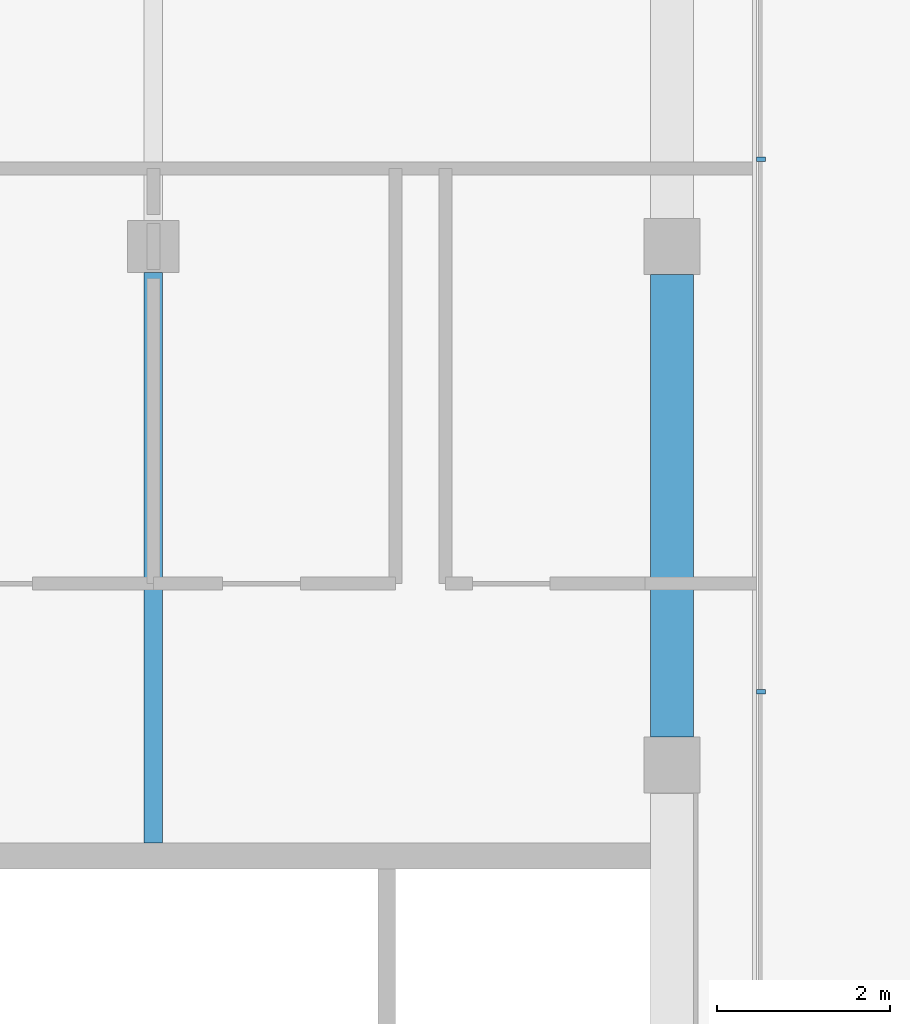
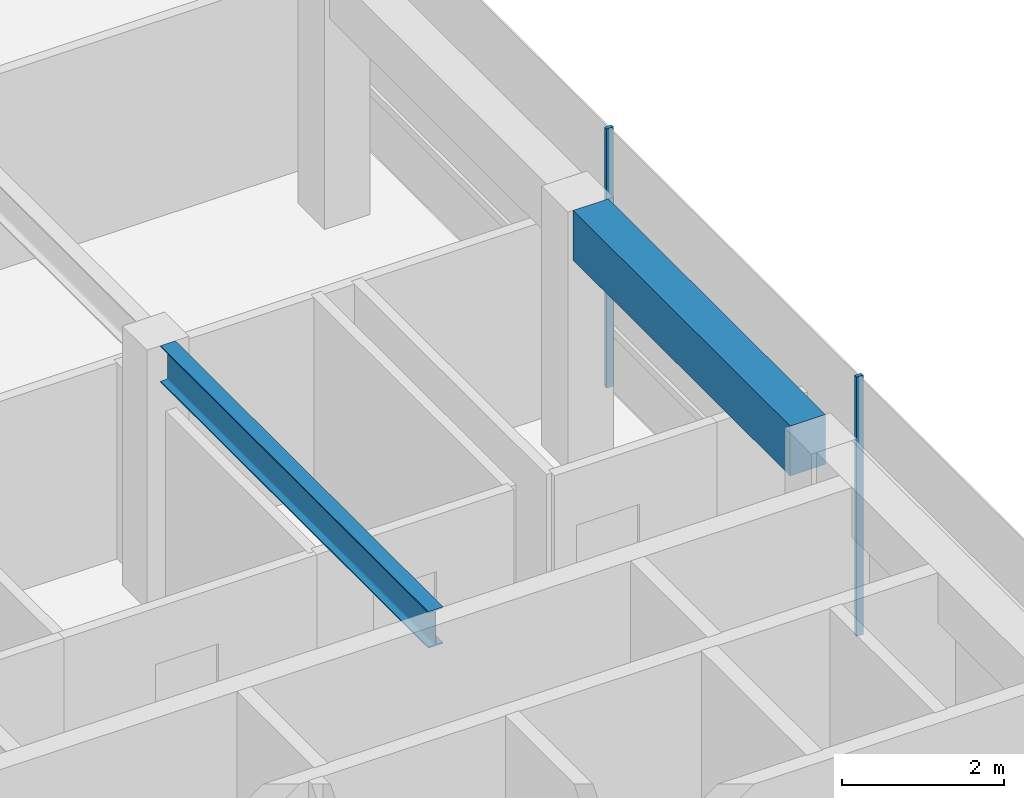
# One storey, part 10 of 20: 2 beams, 2 members, 1 element without a shape of its own.
"""IFC4 building model written with IfcOpenShell, lengths in metres."""

from ifc_helpers import new_model, si_unit, direction, frame, origin, origin_2d, place, context, subcontext, project, spatial, rectangle, i_section, extrude, material, layer, layer_set, material_profile, profile_set, type_object, element, aggregate, save


model = new_model("IFC4")

# Units and contexts
model_context = context("Model", 3, precision=1e-05, world=origin(), true_north=direction((0.0, 1.0)))
body_context = subcontext(model_context, "Body", "Model", "MODEL_VIEW")
ifc_project = project(units=[si_unit("LENGTHUNIT", "METRE"), si_unit("AREAUNIT", "SQUARE_METRE"), si_unit("VOLUMEUNIT", "CUBIC_METRE"), si_unit("PLANEANGLEUNIT", "RADIAN"), si_unit("MASSUNIT", "GRAM", prefix="KILO")], contexts=[model_context])

# Site, building, storey
site_placement = place(None, origin())
site = spatial("IfcSite", under=ifc_project, at=site_placement, CompositionType="ELEMENT")
building_placement = place(site_placement, origin())
building = spatial("IfcBuilding", under=site, at=building_placement, Name="Welwitschia Terrace Campus", CompositionType="ELEMENT")
storey_placement = place(building_placement, frame((0.0, 0.0, 327.199951171875)))
storey = spatial("IfcBuildingStorey", under=building, at=storey_placement, Name="L73", CompositionType="ELEMENT", Elevation=327.199951171875)

# Beam
ifc_material_1 = material(Name="Steel S355", Category="steel")
ifc_material_profile_1 = material_profile(ifc_material_1, i_section(OverallWidth=0.2099609375, OverallDepth=0.550048828125, WebThickness=0.010986328125, FlangeThickness=0.01708984375, FilletRadius=0.02392578125, at=origin_2d()))
ifc_profile_set_1 = profile_set([ifc_material_profile_1], Name="Steel S355")
beam_type_1 = type_object("IfcBeamType", Name="Interior girder IPE 550", PredefinedType="BEAM", material=ifc_profile_set_1)
beam_1_placement = place(storey_placement, frame((18.0, 25.10107421875, 3.625), z_axis=(0.0, 1.0, 0.0), x_axis=(-1.0, 0.0, 0.0)))
element("IfcBeam", 1, at=beam_1_placement, inside=storey, type_object=beam_type_1, Name="Girder GB7", PredefinedType="BEAM", context=body_context, shape_type="SweptSolid", body=[
    extrude(i_section(OverallWidth=0.2099609375, OverallDepth=0.550048828125, WebThickness=0.010986328125, FlangeThickness=0.01708984375, FilletRadius=0.02392578125, at=origin_2d()), origin(), (0.0, 0.0, 1.0), 6.598388671875),
])

# Curtain wall, members
ifc_material_2 = material(Name="Bronze anodised aluminium", Category="aluminium")
ifc_layer = layer(ifc_material_2, 0.10009765625)
ifc_layer_set = layer_set([ifc_layer], Name="Bronze anodised aluminium")
curtain_wall_type = type_object("IfcCurtainWallType", Name="Curtain wall CW5 crown 6000", PredefinedType="NOTDEFINED", material=ifc_layer_set)
curtain_wall_placement = place(storey_placement, origin())
curtain_wall = element("IfcCurtainWall", 2, at=curtain_wall_placement, inside=storey, type_object=curtain_wall_type, Name="CW L73.7.0", PredefinedType="NOTDEFINED")
ifc_material_3 = material(Name="Bronze anodised aluminium", Category="aluminium")
ifc_material_profile_2 = material_profile(ifc_material_3, rectangle(XDim=0.10009765625, YDim=0.050048828125, at=origin_2d()))
ifc_profile_set_2 = profile_set([ifc_material_profile_2], Name="Bronze anodised aluminium")
member_type = type_object("IfcMemberType", Name="Mullion 50x100", PredefinedType="MULLION", material=ifc_profile_set_2)
member_1_placement = place(storey_placement, frame((25.030029296875, 26.849609375, 0.0), z_axis=(0.0, 0.0, 1.0), x_axis=(-1.0, 0.0, 0.0)))
member_1 = element("IfcMember", 3, at=member_1_placement, type_object=member_type, Name="Mullion L73.7.0.1", PredefinedType="MULLION", context=body_context, shape_type="SweptSolid", body=[
    extrude(rectangle(XDim=0.10009765625, YDim=0.050048828125, at=origin_2d()), origin(), (0.0, 0.0, 1.0), 3.900146484375),
])
member_2_placement = place(storey_placement, frame((25.030029296875, 33.0078125, 0.0), z_axis=(0.0, 0.0, 1.0), x_axis=(-1.0, 0.0, 0.0)))
member_2 = element("IfcMember", 4, at=member_2_placement, type_object=member_type, Name="Mullion L73.7.0.2", PredefinedType="MULLION", context=body_context, shape_type="SweptSolid", body=[
    extrude(rectangle(XDim=0.10009765625, YDim=0.050048828125, at=origin_2d()), origin(), (0.0, 0.0, 1.0), 3.900146484375),
])
aggregate(curtain_wall, [member_1, member_2])

# Beam
ifc_material_4 = material(Name="Concrete C40/50", Category="concrete")
ifc_material_profile_3 = material_profile(ifc_material_4, rectangle(XDim=0.5, YDim=0.75, at=origin_2d()))
ifc_profile_set_3 = profile_set([ifc_material_profile_3], Name="Concrete C40/50")
beam_type_2 = type_object("IfcBeamType", Name="Ring spandrel 500x750", PredefinedType="SPANDREL", material=ifc_profile_set_3)
beam_2_placement = place(storey_placement, frame((24.0, 26.325439453125, 3.525146484375), z_axis=(0.0, 1.0, 0.0), x_axis=(-1.0, 0.0, 0.0)))
element("IfcBeam", 5, at=beam_2_placement, inside=storey, type_object=beam_type_2, Name="Spandrel SP5", PredefinedType="SPANDREL", context=body_context, shape_type="SweptSolid", body=[
    extrude(rectangle(XDim=0.5, YDim=0.75, at=origin_2d()), origin(), (0.0, 0.0, 1.0), 5.34912109375),
])

save(model, "model.ifc")
